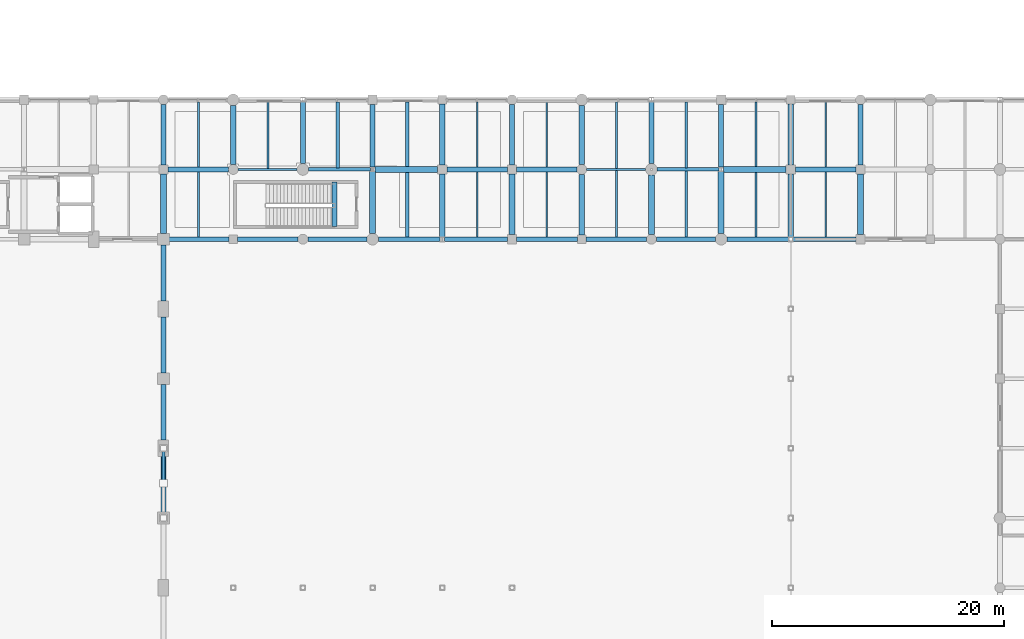
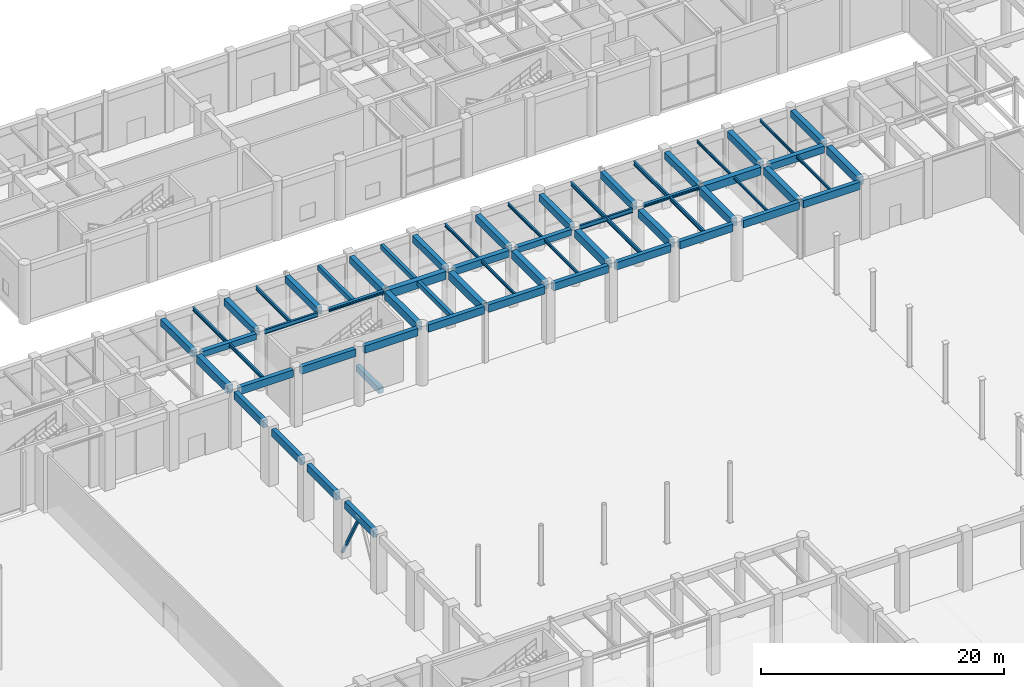
# One storey, part 39 of 106: 63 beams, 1 member.
"""IFC4 building model written with IfcOpenShell, lengths in metres."""

import ifcopenshell
import ifcopenshell.guid

model = None  # the IFC model being written
_history = None  # IfcOwnerHistory: only IFC2X3 demands one
_inside = {}  # id of a spatial element -> (the spatial element, [elements in it])
_under = {}  # id of a project, library or spatial element -> (it, [spatial elements below it])
_declared = {}  # id of a project -> (the project, [libraries it declares])
_typed = {}  # id of a type object -> (the type object, [elements of that type])
_made_of = {}  # id of a material, layer set ... -> (it, [elements and type objects made of it])


def new_model(schema):
    """Start an empty IFC model of exactly this schema.

    Asked for "IFC4X3", IfcOpenShell would pick the latest addendum, in which some entities
    have other attributes; the version numbers below select the first issue.
    IFC2X3 requires an IfcOwnerHistory on every rooted entity: one is made here for all.
    """
    global model, _history
    if schema == "IFC4X3":
        model = ifcopenshell.file(schema_version=(4, 3, 0, 0))
    else:
        model = ifcopenshell.file(schema=schema)
    _inside.clear()
    _under.clear()
    _declared.clear()
    _typed.clear()
    _made_of.clear()
    _history = None
    if model.schema == "IFC2X3":
        org = make("IfcOrganization", Name="unknown")
        user = make(
            "IfcPersonAndOrganization",
            ThePerson=make("IfcPerson", FamilyName="unknown"),
            TheOrganization=org,
        )
        app = make(
            "IfcApplication",
            ApplicationDeveloper=org,
            Version="unknown",
            ApplicationFullName="unknown",
            ApplicationIdentifier="unknown",
        )
        _history = make(
            "IfcOwnerHistory",
            OwningUser=user,
            OwningApplication=app,
            ChangeAction="ADDED",
            CreationDate=0,
        )
    return model


def make(cls, **values):
    """One entity of the class cls with the attributes given. An attribute that is None is left unset."""
    return model.create_entity(
        cls, **{name: value for name, value in values.items() if value is not None}
    )


def rooted(cls, **values):
    """An entity with a GlobalId (a new one), such as an element, a storey or a relation."""
    return make(cls, GlobalId=ifcopenshell.guid.new(), OwnerHistory=_history, **values)


def si_unit(unit_type, name, prefix=None):
    """IfcSIUnit, for example si_unit("LENGTHUNIT", "METRE", prefix="MILLI")."""
    return make("IfcSIUnit", UnitType=unit_type, Prefix=prefix, Name=name)


def assignment(units):
    """IfcUnitAssignment: the units of a project."""
    return None if units is None else make("IfcUnitAssignment", Units=units)


def point(xyz):
    """IfcCartesianPoint."""
    return None if xyz is None else make("IfcCartesianPoint", Coordinates=xyz)


def direction(xyz):
    """IfcDirection."""
    return None if xyz is None else make("IfcDirection", DirectionRatios=xyz)


def frame(location, z_axis=None, x_axis=None):
    """IfcAxis2Placement3D, a coordinate frame: its origin and axes. An axis left out is left unset."""
    return make(
        "IfcAxis2Placement3D",
        Location=point(location),
        Axis=direction(z_axis),
        RefDirection=direction(x_axis),
    )


def frame_2d(location, x_axis=None):
    """IfcAxis2Placement2D, a coordinate frame in the plane: its origin and x axis."""
    return make(
        "IfcAxis2Placement2D", Location=point(location), RefDirection=direction(x_axis)
    )


def origin():
    """The frame at (0, 0, 0) with its axes left unset."""
    return frame((0.0, 0.0, 0.0))


def origin_2d():
    """The frame at (0, 0) in the plane with its x axis left unset."""
    return frame_2d((0.0, 0.0))


def place(relative_to, where):
    """IfcLocalPlacement: puts the frame where relative to a parent placement (None: the world)."""
    return make(
        "IfcLocalPlacement", PlacementRelTo=relative_to, RelativePlacement=where
    )


def context(
    kind, dimensions, precision=None, world=None, true_north=None, identifier=None
):
    """IfcGeometricRepresentationContext, for example the 3D "Model" context."""
    return make(
        "IfcGeometricRepresentationContext",
        ContextIdentifier=identifier,
        ContextType=kind,
        CoordinateSpaceDimension=dimensions,
        Precision=precision,
        WorldCoordinateSystem=world,
        TrueNorth=true_north,
    )


def subcontext(parent, identifier, kind, view, scale=None):
    """IfcGeometricRepresentationSubContext, for example "Body" below "Model"."""
    return make(
        "IfcGeometricRepresentationSubContext",
        ContextIdentifier=identifier,
        ContextType=kind,
        ParentContext=parent,
        TargetScale=scale,
        TargetView=view,
    )


def project(units=None, contexts=None):
    """IfcProject with its units and contexts."""
    return rooted(
        "IfcProject",
        Name="project",
        RepresentationContexts=contexts,
        UnitsInContext=assignment(units),
    )


def spatial(cls, under=None, at=None, **own):
    """A site, building, storey or space (cls), placed at a placement, below another one or the project."""
    s = rooted(cls, ObjectPlacement=at, **own)
    if under is not None:
        _under.setdefault(under.id(), (under, []))[1].append(s)
    return s


def profile(cls, at=None, kind="AREA", **sizes):
    """A parametric profile (cls). Its sizes go by their IFC names, for example OverallWidth=200.0."""
    return make(cls, ProfileType=kind, Position=at, **sizes)


def rectangle(**sizes):
    """IfcRectangleProfileDef."""
    return profile("IfcRectangleProfileDef", **sizes)


def hollow_rectangle(**sizes):
    """IfcRectangleHollowProfileDef."""
    return profile("IfcRectangleHollowProfileDef", **sizes)


def i_section(**sizes):
    """IfcIShapeProfileDef."""
    return profile("IfcIShapeProfileDef", **sizes)


def extrude(swept, where, along, depth):
    """IfcExtrudedAreaSolid: the profile swept, set in the frame where, extruded along a direction by depth."""
    return make(
        "IfcExtrudedAreaSolid",
        SweptArea=swept,
        Position=where,
        ExtrudedDirection=direction(along),
        Depth=depth,
    )


def shape(context_of_items, identifier, shape_type, items):
    """IfcShapeRepresentation: the items that make up one representation, for example the "Body"."""
    return make(
        "IfcShapeRepresentation",
        ContextOfItems=context_of_items,
        RepresentationIdentifier=identifier,
        RepresentationType=shape_type,
        Items=items,
    )


def material(Name=None, Category=None):
    """IfcMaterial."""
    return make("IfcMaterial", Name=Name, Category=Category)


def material_profile(
    of_material, cross_section, Name=None, Category=None, Priority=None
):
    """IfcMaterialProfile: a cross section and its material."""
    return make(
        "IfcMaterialProfile",
        Name=Name,
        Material=of_material,
        Profile=cross_section,
        Priority=Priority,
        Category=Category,
    )


def profile_set(profiles, Name=None, composite=None):
    """IfcMaterialProfileSet."""
    return make(
        "IfcMaterialProfileSet",
        Name=Name,
        MaterialProfiles=profiles,
        CompositeProfile=composite,
    )


def made_of(thing, what):
    """Note that an element or type object is made of a material, layer set ...; save() writes the relation."""
    if what is not None:
        _made_of.setdefault(what.id(), (what, []))[1].append(thing)
    return thing


def type_object(cls, material=None, **own):
    """A type object (cls), such as IfcWallType, which elements share."""
    return made_of(rooted(cls, **own), material)


def element(
    cls,
    number,
    at=None,
    inside=None,
    cuts=None,
    type_object=None,
    material=None,
    context=None,
    identifier="Body",
    shape_type=None,
    held_by="IfcProductDefinitionShape",
    body=None,
    shapes=None,
    **own,
):
    """One element of the class cls, such as IfcWall. Its Tag is "e" and its number.

    at: its placement. inside: the storey or other place that contains it. cuts: it is an
    opening in that element (IfcRelVoidsElement). A single representation is given by context,
    identifier, shape_type and body (its items); several are given by shapes. held_by: the class
    of the entity that holds the representations. save() writes the other relations.
    """
    e = rooted(cls, Tag="e%d" % number, ObjectPlacement=at, **own)
    if body is not None:
        shapes = [shape(context, identifier, shape_type, body)]
    if shapes is not None:
        e.Representation = make(held_by, Representations=shapes)
    if inside is not None:
        _inside.setdefault(inside.id(), (inside, []))[1].append(e)
    if cuts is not None:
        rooted(
            "IfcRelVoidsElement", RelatingBuildingElement=cuts, RelatedOpeningElement=e
        )
    if type_object is not None:
        _typed.setdefault(type_object.id(), (type_object, []))[1].append(e)
    return made_of(e, material)


def aggregate(whole, parts):
    """IfcRelAggregates: a whole, such as a stair, and the parts it consists of."""
    return rooted("IfcRelAggregates", RelatingObject=whole, RelatedObjects=parts)


def save(model, path):
    """Write the relations noted so far, then the file.

    IfcRelAggregates (storeys below a building ...), IfcRelContainedInSpatialStructure (elements
    in a storey), IfcRelDefinesByType, IfcRelAssociatesMaterial and IfcRelDeclares: one each for
    every whole, place, type object, material and project.
    """
    for whole, parts in _under.values():
        aggregate(whole, parts)
    for where, things in _inside.values():
        rooted(
            "IfcRelContainedInSpatialStructure",
            RelatedElements=things,
            RelatingStructure=where,
        )
    for kind, things in _typed.values():
        rooted("IfcRelDefinesByType", RelatedObjects=things, RelatingType=kind)
    for what, things in _made_of.values():
        rooted("IfcRelAssociatesMaterial", RelatedObjects=things, RelatingMaterial=what)
    for by, libraries in _declared.values():
        rooted("IfcRelDeclares", RelatingContext=by, RelatedDefinitions=libraries)
    model.write(path)


model = new_model("IFC4")

# Units and contexts
model_context = context("Model", 3, precision=1e-05, world=origin(), true_north=direction((0.0, 1.0)))
body_context = subcontext(model_context, "Body", "Model", "MODEL_VIEW")
ifc_project = project(units=[si_unit("LENGTHUNIT", "METRE"), si_unit("AREAUNIT", "SQUARE_METRE"), si_unit("VOLUMEUNIT", "CUBIC_METRE"), si_unit("PLANEANGLEUNIT", "RADIAN"), si_unit("MASSUNIT", "GRAM", prefix="KILO"), si_unit("THERMODYNAMICTEMPERATUREUNIT", "KELVIN"), si_unit("POWERUNIT", "WATT")], contexts=[model_context])

# Site, building, storey
site_placement = place(None, origin())
site = spatial("IfcSite", under=ifc_project, at=site_placement, CompositionType="ELEMENT")
building_placement = place(site_placement, origin())
building = spatial("IfcBuilding", under=site, at=building_placement, Name="Phaisarnlok Congress Hotel", CompositionType="ELEMENT")
storey_placement = place(building_placement, origin())
storey = spatial("IfcBuildingStorey", under=building, at=storey_placement, Name="L00", CompositionType="ELEMENT", Elevation=0.0)

# Beams
ifc_material_1 = material(Name="Concrete C40/50", Category="concrete")
ifc_material_profile_1 = material_profile(ifc_material_1, rectangle(XDim=0.39990234375, YDim=0.60009765625, at=origin_2d()), Name="RC 400x600")
ifc_profile_set_1 = profile_set([ifc_material_profile_1], Name="Concrete C40/50")
beam_type_1 = type_object("IfcBeamType", Name="BM-RC-400x600", PredefinedType="BEAM", material=ifc_profile_set_1)
for number, where, z_axis, x_axis, name in (
    (1, (66.3701171875, 90.0, 5.43994140625), (1.0, 0.0, 0.0), (0.0, 1.0, 0.0), "Beam B-02"),
    (2, (96.3701171875, 90.0, 5.43994140625), (1.0, 0.0, 0.0), (0.0, 1.0, 0.0), "Beam B-02"),
):
    element("IfcBeam", number, at=place(storey_placement, frame(where, z_axis=z_axis, x_axis=x_axis)), inside=storey, type_object=beam_type_1, Name=name, PredefinedType="BEAM", context=body_context, shape_type="SweptSolid", body=[
        extrude(rectangle(XDim=0.39990234375, YDim=0.60009765625, at=origin_2d()), origin(), (0.0, 0.0, 1.0), 5.2099609375),
    ])
beam_1_placement = place(storey_placement, frame((80.719970703125, 85.080078125, -0.300048828125), z_axis=(0.0, 1.0, 0.0), x_axis=(-1.0, 0.0, 0.0)))
element("IfcBeam", 3, at=beam_1_placement, inside=storey, type_object=beam_type_1, Name="Stair landing header beam B-02 (STAIR-POD-C L00)", PredefinedType="BEAM", context=body_context, shape_type="SweptSolid", body=[
    extrude(rectangle(XDim=0.39990234375, YDim=0.60009765625, at=origin_2d()), origin(), (0.0, 0.0, 1.0), 3.83984375),
])
ifc_material_profile_2 = material_profile(ifc_material_1, rectangle(XDim=0.449951171875, YDim=0.699951171875, at=origin_2d()), Name="RC 450x700")
ifc_profile_set_2 = profile_set([ifc_material_profile_2], Name="Concrete C40/50")
beam_type_2 = type_object("IfcBeamType", Name="BM-RC-450x700", PredefinedType="BEAM", material=ifc_profile_set_2)
beam_2_placement = place(storey_placement, frame((66.0, 90.3701171875, 5.389892578125), z_axis=(0.0, 1.0, 0.0), x_axis=(-1.0, 0.0, 0.0)))
element("IfcBeam", 4, at=beam_2_placement, inside=storey, type_object=beam_type_2, Name="Beam B-03", PredefinedType="BEAM", context=body_context, shape_type="SweptSolid", body=[
    extrude(rectangle(XDim=0.449951171875, YDim=0.699951171875, at=origin_2d()), origin(), (0.0, 0.0, 1.0), 5.2099609375),
])
beam_3_placement = place(storey_placement, frame((72.0, 90.419921875, 5.389892578125), z_axis=(0.0, 1.0, 0.0), x_axis=(-1.0, 0.0, 0.0)))
element("IfcBeam", 5, at=beam_3_placement, inside=storey, type_object=beam_type_2, Name="Beam B-03", PredefinedType="BEAM", context=body_context, shape_type="SweptSolid", body=[
    extrude(rectangle(XDim=0.449951171875, YDim=0.699951171875, at=origin_2d()), origin(), (0.0, 0.0, 1.0), 5.0849609375),
])
beam_4_placement = place(storey_placement, frame((78.0, 90.4951171875, 5.389892578125), z_axis=(0.0, 1.0, 0.0), x_axis=(-1.0, 0.0, 0.0)))
element("IfcBeam", 6, at=beam_4_placement, inside=storey, type_object=beam_type_2, Name="Beam B-03", PredefinedType="BEAM", context=body_context, shape_type="SweptSolid", body=[
    extrude(rectangle(XDim=0.449951171875, YDim=0.699951171875, at=origin_2d()), origin(), (0.0, 0.0, 1.0), 5.310302734375),
])
beam_5_placement = place(storey_placement, frame((84.0, 90.194580078125, 5.389892578125), z_axis=(0.0, 1.0, 0.0), x_axis=(-1.0, 0.0, 0.0)))
element("IfcBeam", 7, at=beam_5_placement, inside=storey, type_object=beam_type_2, Name="Beam B-03", PredefinedType="BEAM", context=body_context, shape_type="SweptSolid", body=[
    extrude(rectangle(XDim=0.449951171875, YDim=0.699951171875, at=origin_2d()), origin(), (0.0, 0.0, 1.0), 5.410400390625),
])
for number, where, z_axis, x_axis, name in (
    (8, (90.39501953125, 90.0, 5.389892578125), (1.0, 0.0, 0.0), (0.0, 1.0, 0.0), "Beam B-03"),
    (9, (90.0, 90.39501953125, 5.389892578125), (0.0, 1.0, 0.0), (-1.0, 0.0, 0.0), "Beam B-03"),
):
    element("IfcBeam", number, at=place(storey_placement, frame(where, z_axis=z_axis, x_axis=x_axis)), inside=storey, type_object=beam_type_2, Name=name, PredefinedType="BEAM", context=body_context, shape_type="SweptSolid", body=[
        extrude(rectangle(XDim=0.449951171875, YDim=0.699951171875, at=origin_2d()), origin(), (0.0, 0.0, 1.0), 5.23486328125),
    ])
beam_6_placement = place(storey_placement, frame((96.0, 90.3701171875, 5.389892578125), z_axis=(0.0, 1.0, 0.0), x_axis=(-1.0, 0.0, 0.0)))
element("IfcBeam", 10, at=beam_6_placement, inside=storey, type_object=beam_type_2, Name="Beam B-03", PredefinedType="BEAM", context=body_context, shape_type="SweptSolid", body=[
    extrude(rectangle(XDim=0.449951171875, YDim=0.699951171875, at=origin_2d()), origin(), (0.0, 0.0, 1.0), 5.2099609375),
])
beam_7_placement = place(storey_placement, frame((102.0, 90.419921875, 5.389892578125), z_axis=(0.0, 1.0, 0.0), x_axis=(-1.0, 0.0, 0.0)))
element("IfcBeam", 11, at=beam_7_placement, inside=storey, type_object=beam_type_2, Name="Beam B-03", PredefinedType="BEAM", context=body_context, shape_type="SweptSolid", body=[
    extrude(rectangle(XDim=0.449951171875, YDim=0.699951171875, at=origin_2d()), origin(), (0.0, 0.0, 1.0), 5.0849609375),
])
beam_8_placement = place(storey_placement, frame((108.0, 90.4951171875, 5.389892578125), z_axis=(0.0, 1.0, 0.0), x_axis=(-1.0, 0.0, 0.0)))
element("IfcBeam", 12, at=beam_8_placement, inside=storey, type_object=beam_type_2, Name="Beam B-03", PredefinedType="BEAM", context=body_context, shape_type="SweptSolid", body=[
    extrude(rectangle(XDim=0.449951171875, YDim=0.699951171875, at=origin_2d()), origin(), (0.0, 0.0, 1.0), 5.310302734375),
])
beam_9_placement = place(storey_placement, frame((114.0, 90.194580078125, 5.389892578125), z_axis=(0.0, 1.0, 0.0), x_axis=(-1.0, 0.0, 0.0)))
element("IfcBeam", 13, at=beam_9_placement, inside=storey, type_object=beam_type_2, Name="Beam B-03", PredefinedType="BEAM", context=body_context, shape_type="SweptSolid", body=[
    extrude(rectangle(XDim=0.449951171875, YDim=0.699951171875, at=origin_2d()), origin(), (0.0, 0.0, 1.0), 5.410400390625),
])
for number, where, z_axis, x_axis, name in (
    (14, (120.39501953125, 90.0, 5.389892578125), (1.0, 0.0, 0.0), (0.0, 1.0, 0.0), "Beam B-03"),
    (15, (120.0, 90.39501953125, 5.389892578125), (0.0, 1.0, 0.0), (-1.0, 0.0, 0.0), "Beam B-03"),
):
    element("IfcBeam", number, at=place(storey_placement, frame(where, z_axis=z_axis, x_axis=x_axis)), inside=storey, type_object=beam_type_2, Name=name, PredefinedType="BEAM", context=body_context, shape_type="SweptSolid", body=[
        extrude(rectangle(XDim=0.449951171875, YDim=0.699951171875, at=origin_2d()), origin(), (0.0, 0.0, 1.0), 5.23486328125),
    ])
beam_10_placement = place(storey_placement, frame((126.0, 90.3701171875, 5.389892578125), z_axis=(0.0, 1.0, 0.0), x_axis=(-1.0, 0.0, 0.0)))
element("IfcBeam", 16, at=beam_10_placement, inside=storey, type_object=beam_type_2, Name="Beam B-03", PredefinedType="BEAM", context=body_context, shape_type="SweptSolid", body=[
    extrude(rectangle(XDim=0.449951171875, YDim=0.699951171875, at=origin_2d()), origin(), (0.0, 0.0, 1.0), 5.2099609375),
])
ifc_material_profile_3 = material_profile(ifc_material_1, rectangle(XDim=0.5, YDim=0.800048828125, at=origin_2d()), Name="RC 500x800")
ifc_profile_set_3 = profile_set([ifc_material_profile_3], Name="Concrete C40/50")
beam_type_3 = type_object("IfcBeamType", Name="BM-RC-500x800", PredefinedType="BEAM", material=ifc_profile_set_3)
beam_11_placement = place(storey_placement, frame((66.0, 84.4951171875, 5.340087890625), z_axis=(0.0, 1.0, 0.0), x_axis=(-1.0, 0.0, 0.0)))
element("IfcBeam", 17, at=beam_11_placement, inside=storey, type_object=beam_type_3, Name="Beam B-04", PredefinedType="BEAM", context=body_context, shape_type="SweptSolid", body=[
    extrude(rectangle(XDim=0.5, YDim=0.800048828125, at=origin_2d()), origin(), (0.0, 0.0, 1.0), 5.134765625),
])
beam_12_placement = place(storey_placement, frame((84.0, 84.4951171875, 5.340087890625), z_axis=(0.0, 1.0, 0.0), x_axis=(-1.0, 0.0, 0.0)))
element("IfcBeam", 18, at=beam_12_placement, inside=storey, type_object=beam_type_3, Name="Beam B-04", PredefinedType="BEAM", context=body_context, shape_type="SweptSolid", body=[
    extrude(rectangle(XDim=0.5, YDim=0.800048828125, at=origin_2d()), origin(), (0.0, 0.0, 1.0), 5.310302734375),
])
beam_13_placement = place(storey_placement, frame((84.195556640625, 90.0, 5.340087890625), z_axis=(1.0, 0.0, 0.0), x_axis=(0.0, 1.0, 0.0)))
element("IfcBeam", 19, at=beam_13_placement, inside=storey, type_object=beam_type_3, Name="Beam B-04", PredefinedType="BEAM", context=body_context, shape_type="SweptSolid", body=[
    extrude(rectangle(XDim=0.5, YDim=0.800048828125, at=origin_2d()), origin(), (0.0, 0.0, 1.0), 5.409423828125),
])
beam_14_placement = place(storey_placement, frame((90.0, 84.194580078125, 5.340087890625), z_axis=(0.0, 1.0, 0.0), x_axis=(-1.0, 0.0, 0.0)))
element("IfcBeam", 20, at=beam_14_placement, inside=storey, type_object=beam_type_3, Name="Beam B-04", PredefinedType="BEAM", context=body_context, shape_type="SweptSolid", body=[
    extrude(rectangle(XDim=0.5, YDim=0.800048828125, at=origin_2d()), origin(), (0.0, 0.0, 1.0), 5.410400390625),
])
beam_15_placement = place(storey_placement, frame((96.0, 84.39501953125, 5.340087890625), z_axis=(0.0, 1.0, 0.0), x_axis=(-1.0, 0.0, 0.0)))
element("IfcBeam", 21, at=beam_15_placement, inside=storey, type_object=beam_type_3, Name="Beam B-04", PredefinedType="BEAM", context=body_context, shape_type="SweptSolid", body=[
    extrude(rectangle(XDim=0.5, YDim=0.800048828125, at=origin_2d()), origin(), (0.0, 0.0, 1.0), 5.23486328125),
])
beam_16_placement = place(storey_placement, frame((102.0, 84.3701171875, 5.340087890625), z_axis=(0.0, 1.0, 0.0), x_axis=(-1.0, 0.0, 0.0)))
element("IfcBeam", 22, at=beam_16_placement, inside=storey, type_object=beam_type_3, Name="Beam B-04", PredefinedType="BEAM", context=body_context, shape_type="SweptSolid", body=[
    extrude(rectangle(XDim=0.5, YDim=0.800048828125, at=origin_2d()), origin(), (0.0, 0.0, 1.0), 5.2099609375),
])
beam_17_placement = place(storey_placement, frame((108.0, 84.419921875, 5.340087890625), z_axis=(0.0, 1.0, 0.0), x_axis=(-1.0, 0.0, 0.0)))
element("IfcBeam", 23, at=beam_17_placement, inside=storey, type_object=beam_type_3, Name="Beam B-04", PredefinedType="BEAM", context=body_context, shape_type="SweptSolid", body=[
    extrude(rectangle(XDim=0.5, YDim=0.800048828125, at=origin_2d()), origin(), (0.0, 0.0, 1.0), 5.0849609375),
])
beam_18_placement = place(storey_placement, frame((114.0, 84.4951171875, 5.340087890625), z_axis=(0.0, 1.0, 0.0), x_axis=(-1.0, 0.0, 0.0)))
element("IfcBeam", 24, at=beam_18_placement, inside=storey, type_object=beam_type_3, Name="Beam B-04", PredefinedType="BEAM", context=body_context, shape_type="SweptSolid", body=[
    extrude(rectangle(XDim=0.5, YDim=0.800048828125, at=origin_2d()), origin(), (0.0, 0.0, 1.0), 5.310302734375),
])
beam_19_placement = place(storey_placement, frame((114.195556640625, 90.0, 5.340087890625), z_axis=(1.0, 0.0, 0.0), x_axis=(0.0, 1.0, 0.0)))
element("IfcBeam", 25, at=beam_19_placement, inside=storey, type_object=beam_type_3, Name="Beam B-04", PredefinedType="BEAM", context=body_context, shape_type="SweptSolid", body=[
    extrude(rectangle(XDim=0.5, YDim=0.800048828125, at=origin_2d()), origin(), (0.0, 0.0, 1.0), 5.409423828125),
])
beam_20_placement = place(storey_placement, frame((120.0, 84.1982421875, 5.340087890625), z_axis=(0.0, 1.0, 0.0), x_axis=(-1.0, 0.0, 0.0)))
element("IfcBeam", 26, at=beam_20_placement, inside=storey, type_object=beam_type_3, Name="Beam B-04", PredefinedType="BEAM", context=body_context, shape_type="SweptSolid", body=[
    extrude(rectangle(XDim=0.5, YDim=0.800048828125, at=origin_2d()), origin(), (0.0, 0.0, 1.0), 5.40673828125),
])
beam_21_placement = place(storey_placement, frame((126.0, 84.39501953125, 5.340087890625), z_axis=(0.0, 1.0, 0.0), x_axis=(-1.0, 0.0, 0.0)))
element("IfcBeam", 27, at=beam_21_placement, inside=storey, type_object=beam_type_3, Name="Beam B-04", PredefinedType="BEAM", context=body_context, shape_type="SweptSolid", body=[
    extrude(rectangle(XDim=0.5, YDim=0.800048828125, at=origin_2d()), origin(), (0.0, 0.0, 1.0), 5.23486328125),
])
ifc_material_2 = material(Name="Steel S355", Category="steel")
ifc_material_profile_4 = material_profile(ifc_material_2, i_section(OverallWidth=0.300048828125, OverallDepth=0.2900390625, WebThickness=0.008544921875, FlangeThickness=0.013916015625, FilletRadius=0.027099609375, at=origin_2d()), Name="HEA 300")
ifc_profile_set_4 = profile_set([ifc_material_profile_4], Name="Steel S355")
beam_type_4 = type_object("IfcBeamType", Name="BM-STL-HEA300", PredefinedType="BEAM", material=ifc_profile_set_4)
for number, where, z_axis, x_axis, name in (
    (28, (78.4951171875, 90.0, 5.594970703125), (1.0, 0.0, 0.0), (0.0, 1.0, 0.0), "Beam SB-05"),
    (29, (108.4951171875, 90.0, 5.594970703125), (1.0, 0.0, 0.0), (0.0, 1.0, 0.0), "Beam SB-05"),
):
    element("IfcBeam", number, at=place(storey_placement, frame(where, z_axis=z_axis, x_axis=x_axis)), inside=storey, type_object=beam_type_4, Name=name, PredefinedType="BEAM", context=body_context, shape_type="SweptSolid", body=[
        extrude(i_section(OverallWidth=0.300048828125, OverallDepth=0.2900390625, WebThickness=0.008544921875, FlangeThickness=0.013916015625, FilletRadius=0.027099609375, at=origin_2d()), origin(), (0.0, 0.0, 1.0), 5.309326171875),
    ])
ifc_material_profile_5 = material_profile(ifc_material_2, i_section(OverallWidth=0.18994140625, OverallDepth=0.449951171875, WebThickness=0.009521484375, FlangeThickness=0.0146484375, FilletRadius=0.02099609375, at=origin_2d()), Name="IPE 450")
ifc_profile_set_5 = profile_set([ifc_material_profile_5], Name="Steel S355")
beam_type_5 = type_object("IfcBeamType", Name="BM-STL-IPE450", PredefinedType="BEAM", material=ifc_profile_set_5)
for number, where, z_axis, x_axis, name in (
    (30, (72.419921875, 90.0, 5.514892578125), (1.0, 0.0, 0.0), (0.0, 1.0, 0.0), "Beam SB-01"),
    (31, (102.419921875, 90.0, 5.514892578125), (1.0, 0.0, 0.0), (0.0, 1.0, 0.0), "Beam SB-01"),
):
    element("IfcBeam", number, at=place(storey_placement, frame(where, z_axis=z_axis, x_axis=x_axis)), inside=storey, type_object=beam_type_5, Name=name, PredefinedType="BEAM", context=body_context, shape_type="SweptSolid", body=[
        extrude(i_section(OverallWidth=0.18994140625, OverallDepth=0.449951171875, WebThickness=0.009521484375, FlangeThickness=0.0146484375, FilletRadius=0.02099609375, at=origin_2d()), origin(), (0.0, 0.0, 1.0), 5.0849609375),
    ])
ifc_material_profile_6 = material_profile(ifc_material_1, rectangle(XDim=0.300048828125, YDim=0.5, at=origin_2d()), Name="RC 300x500")
ifc_profile_set_6 = profile_set([ifc_material_profile_6], Name="Concrete C40/50")
beam_type_6 = type_object("IfcBeamType", Name="JS-RC-300x500", PredefinedType="JOIST", material=ifc_profile_set_6)
beam_22_placement = place(storey_placement, frame((81.0, 90.14501953125, 5.489990234375), z_axis=(0.0, 1.0, 0.0), x_axis=(-1.0, 0.0, 0.0)))
element("IfcBeam", 32, at=beam_22_placement, inside=storey, type_object=beam_type_6, Name="Secondary floor joist J-01", PredefinedType="JOIST", context=body_context, shape_type="SweptSolid", body=[
    extrude(rectangle(XDim=0.300048828125, YDim=0.5, at=origin_2d()), origin(), (0.0, 0.0, 1.0), 5.659912109375),
])
for number, where, z_axis, x_axis, name in (
    (33, (87.0, 84.195068359375, 5.489990234375), (0.0, 1.0, 0.0), (-1.0, 0.0, 0.0), "Secondary floor joist J-01"),
    (34, (87.0, 90.2451171875, 5.489990234375), (0.0, 1.0, 0.0), (-1.0, 0.0, 0.0), "Secondary floor joist J-01"),
):
    element("IfcBeam", number, at=place(storey_placement, frame(where, z_axis=z_axis, x_axis=x_axis)), inside=storey, type_object=beam_type_6, Name=name, PredefinedType="JOIST", context=body_context, shape_type="SweptSolid", body=[
        extrude(rectangle(XDim=0.300048828125, YDim=0.5, at=origin_2d()), origin(), (0.0, 0.0, 1.0), 5.559814453125),
    ])
ifc_material_profile_7 = material_profile(ifc_material_2, i_section(OverallWidth=0.135009765625, OverallDepth=0.27001953125, WebThickness=0.006591796875, FlangeThickness=0.01025390625, FilletRadius=0.014892578125, at=origin_2d()), Name="IPE 270")
ifc_profile_set_7 = profile_set([ifc_material_profile_7], Name="Steel S355")
beam_type_7 = type_object("IfcBeamType", Name="JS-STL-IPE270", PredefinedType="JOIST", material=ifc_profile_set_7)
for number, where, z_axis, x_axis, name in (
    (35, (117.0, 84.195068359375, 5.60498046875), (0.0, 1.0, 0.0), (-1.0, 0.0, 0.0), "Secondary floor joist J-02"),
    (36, (117.0, 90.2451171875, 5.60498046875), (0.0, 1.0, 0.0), (-1.0, 0.0, 0.0), "Secondary floor joist J-02"),
):
    element("IfcBeam", number, at=place(storey_placement, frame(where, z_axis=z_axis, x_axis=x_axis)), inside=storey, type_object=beam_type_7, Name=name, PredefinedType="JOIST", context=body_context, shape_type="SweptSolid", body=[
        extrude(i_section(OverallWidth=0.135009765625, OverallDepth=0.27001953125, WebThickness=0.006591796875, FlangeThickness=0.01025390625, FilletRadius=0.014892578125, at=origin_2d()), origin(), (0.0, 0.0, 1.0), 5.559814453125),
    ])
for number, where, z_axis, x_axis, name in (
    (37, (123.0, 84.195068359375, 5.60498046875), (0.0, 1.0, 0.0), (-1.0, 0.0, 0.0), "Secondary floor joist J-02"),
    (38, (123.0, 90.219970703125, 5.60498046875), (0.0, 1.0, 0.0), (-1.0, 0.0, 0.0), "Secondary floor joist J-02"),
):
    element("IfcBeam", number, at=place(storey_placement, frame(where, z_axis=z_axis, x_axis=x_axis)), inside=storey, type_object=beam_type_7, Name=name, PredefinedType="JOIST", context=body_context, shape_type="SweptSolid", body=[
        extrude(i_section(OverallWidth=0.135009765625, OverallDepth=0.27001953125, WebThickness=0.006591796875, FlangeThickness=0.01025390625, FilletRadius=0.014892578125, at=origin_2d()), origin(), (0.0, 0.0, 1.0), 5.5849609375),
    ])
ifc_material_profile_8 = material_profile(ifc_material_2, i_section(OverallWidth=0.14990234375, OverallDepth=0.300048828125, WebThickness=0.007080078125, FlangeThickness=0.0107421875, FilletRadius=0.014892578125, at=origin_2d()), Name="IPE 300")
ifc_profile_set_8 = profile_set([ifc_material_profile_8], Name="Steel S355")
beam_type_8 = type_object("IfcBeamType", Name="JS-STL-IPE300", PredefinedType="JOIST", material=ifc_profile_set_8)
for number, where, z_axis, x_axis, name in (
    (39, (93.0, 84.195068359375, 5.590087890625), (0.0, 1.0, 0.0), (-1.0, 0.0, 0.0), "Secondary floor joist J-03"),
    (40, (93.0, 90.219970703125, 5.590087890625), (0.0, 1.0, 0.0), (-1.0, 0.0, 0.0), "Secondary floor joist J-03"),
):
    element("IfcBeam", number, at=place(storey_placement, frame(where, z_axis=z_axis, x_axis=x_axis)), inside=storey, type_object=beam_type_8, Name=name, PredefinedType="JOIST", context=body_context, shape_type="SweptSolid", body=[
        extrude(i_section(OverallWidth=0.14990234375, OverallDepth=0.300048828125, WebThickness=0.007080078125, FlangeThickness=0.0107421875, FilletRadius=0.014892578125, at=origin_2d()), origin(), (0.0, 0.0, 1.0), 5.5849609375),
    ])
for number, where, z_axis, x_axis, name in (
    (41, (99.0, 84.195068359375, 5.590087890625), (0.0, 1.0, 0.0), (-1.0, 0.0, 0.0), "Secondary floor joist J-03"),
    (42, (99.0, 90.195068359375, 5.590087890625), (0.0, 1.0, 0.0), (-1.0, 0.0, 0.0), "Secondary floor joist J-03"),
):
    element("IfcBeam", number, at=place(storey_placement, frame(where, z_axis=z_axis, x_axis=x_axis)), inside=storey, type_object=beam_type_8, Name=name, PredefinedType="JOIST", context=body_context, shape_type="SweptSolid", body=[
        extrude(i_section(OverallWidth=0.14990234375, OverallDepth=0.300048828125, WebThickness=0.007080078125, FlangeThickness=0.0107421875, FilletRadius=0.014892578125, at=origin_2d()), origin(), (0.0, 0.0, 1.0), 5.60986328125),
    ])
ifc_material_profile_9 = material_profile(ifc_material_2, i_section(OverallWidth=0.169921875, OverallDepth=0.360107421875, WebThickness=0.008056640625, FlangeThickness=0.0126953125, FilletRadius=0.01806640625, at=origin_2d()), Name="IPE 360")
ifc_profile_set_9 = profile_set([ifc_material_profile_9], Name="Steel S355")
beam_type_9 = type_object("IfcBeamType", Name="JS-STL-IPE360", PredefinedType="JOIST", material=ifc_profile_set_9)
for number, where, z_axis, x_axis, name in (
    (43, (69.0, 84.195068359375, 5.56005859375), (0.0, 1.0, 0.0), (-1.0, 0.0, 0.0), "Secondary floor joist J-04"),
    (44, (69.0, 90.195068359375, 5.56005859375), (0.0, 1.0, 0.0), (-1.0, 0.0, 0.0), "Secondary floor joist J-04"),
):
    element("IfcBeam", number, at=place(storey_placement, frame(where, z_axis=z_axis, x_axis=x_axis)), inside=storey, type_object=beam_type_9, Name=name, PredefinedType="JOIST", context=body_context, shape_type="SweptSolid", body=[
        extrude(i_section(OverallWidth=0.169921875, OverallDepth=0.360107421875, WebThickness=0.008056640625, FlangeThickness=0.0126953125, FilletRadius=0.01806640625, at=origin_2d()), origin(), (0.0, 0.0, 1.0), 5.60986328125),
    ])
beam_23_placement = place(storey_placement, frame((75.0, 90.090087890625, 5.56005859375), z_axis=(0.0, 1.0, 0.0), x_axis=(-1.0, 0.0, 0.0)))
element("IfcBeam", 45, at=beam_23_placement, inside=storey, type_object=beam_type_9, Name="Secondary floor joist J-04", PredefinedType="JOIST", context=body_context, shape_type="SweptSolid", body=[
    extrude(i_section(OverallWidth=0.169921875, OverallDepth=0.360107421875, WebThickness=0.008056640625, FlangeThickness=0.0126953125, FilletRadius=0.01806640625, at=origin_2d()), origin(), (0.0, 0.0, 1.0), 5.71484375),
])
ifc_material_profile_10 = material_profile(ifc_material_2, i_section(OverallWidth=0.179931640625, OverallDepth=0.39990234375, WebThickness=0.008544921875, FlangeThickness=0.013427734375, FilletRadius=0.02099609375, at=origin_2d()), Name="IPE 400")
ifc_profile_set_10 = profile_set([ifc_material_profile_10], Name="Steel S355")
beam_type_10 = type_object("IfcBeamType", Name="JS-STL-IPE400", PredefinedType="JOIST", material=ifc_profile_set_10)
for number, where, z_axis, x_axis, name in (
    (46, (105.0, 84.195068359375, 5.5400390625), (0.0, 1.0, 0.0), (-1.0, 0.0, 0.0), "Secondary floor joist J-05"),
    (47, (105.0, 90.090087890625, 5.5400390625), (0.0, 1.0, 0.0), (-1.0, 0.0, 0.0), "Secondary floor joist J-05"),
):
    element("IfcBeam", number, at=place(storey_placement, frame(where, z_axis=z_axis, x_axis=x_axis)), inside=storey, type_object=beam_type_10, Name=name, PredefinedType="JOIST", context=body_context, shape_type="SweptSolid", body=[
        extrude(i_section(OverallWidth=0.179931640625, OverallDepth=0.39990234375, WebThickness=0.008544921875, FlangeThickness=0.013427734375, FilletRadius=0.02099609375, at=origin_2d()), origin(), (0.0, 0.0, 1.0), 5.71484375),
    ])
for number, where, z_axis, x_axis, name in (
    (48, (111.0, 84.195068359375, 5.5400390625), (0.0, 1.0, 0.0), (-1.0, 0.0, 0.0), "Secondary floor joist J-05"),
    (49, (111.0, 90.14501953125, 5.5400390625), (0.0, 1.0, 0.0), (-1.0, 0.0, 0.0), "Secondary floor joist J-05"),
):
    element("IfcBeam", number, at=place(storey_placement, frame(where, z_axis=z_axis, x_axis=x_axis)), inside=storey, type_object=beam_type_10, Name=name, PredefinedType="JOIST", context=body_context, shape_type="SweptSolid", body=[
        extrude(i_section(OverallWidth=0.179931640625, OverallDepth=0.39990234375, WebThickness=0.008544921875, FlangeThickness=0.013427734375, FilletRadius=0.02099609375, at=origin_2d()), origin(), (0.0, 0.0, 1.0), 5.659912109375),
    ])

# Member
ifc_material_profile_11 = material_profile(ifc_material_2, hollow_rectangle(XDim=0.219970703125, YDim=0.219970703125, WallThickness=0.012451171875, at=origin_2d()), Name="SHS 220x220x12.5")
ifc_profile_set_11 = profile_set([ifc_material_profile_11], Name="Steel S355")
member_type = type_object("IfcMemberType", Name="MEM-BRC-SHS220", PredefinedType="BRACE", material=ifc_profile_set_11)
member_placement = place(storey_placement, frame((66.0, 66.0, 0.14990234375), z_axis=(0.0, -0.480857843522, 0.876798571123), x_axis=(1.0, 0.0, 0.0)))
element("IfcMember", 50, at=member_placement, inside=storey, type_object=member_type, Name="Lateral braced frame diagonal", PredefinedType="BRACE", context=body_context, shape_type="SweptSolid", body=[
    extrude(hollow_rectangle(XDim=0.219970703125, YDim=0.219970703125, WallThickness=0.012451171875, at=origin_2d()), origin(), (0.0, 0.0, 1.0), 6.23876953125),
])

# Beams
ifc_material_profile_12 = material_profile(ifc_material_1, rectangle(XDim=0.39990234375, YDim=0.75, at=origin_2d()), Name="RC 400x750")
ifc_profile_set_12 = profile_set([ifc_material_profile_12], Name="Concrete C40/50")
beam_type_11 = type_object("IfcBeamType", Name="SP-RC-400x750", PredefinedType="SPANDREL", material=ifc_profile_set_12)
for number, where, z_axis, x_axis, name in (
    (51, (66.0, 60.4951171875, 5.364990234375), (0.0, 1.0, 0.0), (-1.0, 0.0, 0.0), "Beam SP-02"),
    (52, (66.0, 66.695068359375, 5.364990234375), (0.0, 1.0, 0.0), (-1.0, 0.0, 0.0), "Beam SP-02"),
    (53, (66.0, 72.4951171875, 5.364990234375), (0.0, 1.0, 0.0), (-1.0, 0.0, 0.0), "Beam SP-02"),
    (54, (66.0, 78.695068359375, 5.364990234375), (0.0, 1.0, 0.0), (-1.0, 0.0, 0.0), "Beam SP-02"),
):
    element("IfcBeam", number, at=place(storey_placement, frame(where, z_axis=z_axis, x_axis=x_axis)), inside=storey, type_object=beam_type_11, Name=name, PredefinedType="SPANDREL", context=body_context, shape_type="SweptSolid", body=[
        extrude(rectangle(XDim=0.39990234375, YDim=0.75, at=origin_2d()), origin(), (0.0, 0.0, 1.0), 4.809814453125),
    ])
beam_24_placement = place(storey_placement, frame((66.4951171875, 84.0, 5.364990234375), z_axis=(1.0, 0.0, 0.0), x_axis=(0.0, 1.0, 0.0)))
element("IfcBeam", 55, at=beam_24_placement, inside=storey, type_object=beam_type_11, Name="Beam SP-02", PredefinedType="SPANDREL", context=body_context, shape_type="SweptSolid", body=[
    extrude(rectangle(XDim=0.39990234375, YDim=0.75, at=origin_2d()), origin(), (0.0, 0.0, 1.0), 5.134765625),
])
beam_25_placement = place(storey_placement, frame((72.3701171875, 84.0, 5.364990234375), z_axis=(1.0, 0.0, 0.0), x_axis=(0.0, 1.0, 0.0)))
element("IfcBeam", 56, at=beam_25_placement, inside=storey, type_object=beam_type_11, Name="Beam SP-02", PredefinedType="SPANDREL", context=body_context, shape_type="SweptSolid", body=[
    extrude(rectangle(XDim=0.39990234375, YDim=0.75, at=origin_2d()), origin(), (0.0, 0.0, 1.0), 5.2099609375),
])
beam_26_placement = place(storey_placement, frame((78.419921875, 84.0, 5.364990234375), z_axis=(1.0, 0.0, 0.0), x_axis=(0.0, 1.0, 0.0)))
element("IfcBeam", 57, at=beam_26_placement, inside=storey, type_object=beam_type_11, Name="Beam SP-02", PredefinedType="SPANDREL", context=body_context, shape_type="SweptSolid", body=[
    extrude(rectangle(XDim=0.39990234375, YDim=0.75, at=origin_2d()), origin(), (0.0, 0.0, 1.0), 5.0849609375),
])
beam_27_placement = place(storey_placement, frame((84.4951171875, 84.0, 5.364990234375), z_axis=(1.0, 0.0, 0.0), x_axis=(0.0, 1.0, 0.0)))
element("IfcBeam", 58, at=beam_27_placement, inside=storey, type_object=beam_type_11, Name="Beam SP-02", PredefinedType="SPANDREL", context=body_context, shape_type="SweptSolid", body=[
    extrude(rectangle(XDim=0.39990234375, YDim=0.75, at=origin_2d()), origin(), (0.0, 0.0, 1.0), 5.309326171875),
])
beam_28_placement = place(storey_placement, frame((90.195556640625, 84.0, 5.364990234375), z_axis=(1.0, 0.0, 0.0), x_axis=(0.0, 1.0, 0.0)))
element("IfcBeam", 59, at=beam_28_placement, inside=storey, type_object=beam_type_11, Name="Beam SP-02", PredefinedType="SPANDREL", context=body_context, shape_type="SweptSolid", body=[
    extrude(rectangle(XDim=0.39990234375, YDim=0.75, at=origin_2d()), origin(), (0.0, 0.0, 1.0), 5.409423828125),
])
beam_29_placement = place(storey_placement, frame((96.39501953125, 84.0, 5.364990234375), z_axis=(1.0, 0.0, 0.0), x_axis=(0.0, 1.0, 0.0)))
element("IfcBeam", 60, at=beam_29_placement, inside=storey, type_object=beam_type_11, Name="Beam SP-02", PredefinedType="SPANDREL", context=body_context, shape_type="SweptSolid", body=[
    extrude(rectangle(XDim=0.39990234375, YDim=0.75, at=origin_2d()), origin(), (0.0, 0.0, 1.0), 5.23486328125),
])
beam_30_placement = place(storey_placement, frame((102.3701171875, 84.0, 5.364990234375), z_axis=(1.0, 0.0, 0.0), x_axis=(0.0, 1.0, 0.0)))
element("IfcBeam", 61, at=beam_30_placement, inside=storey, type_object=beam_type_11, Name="Beam SP-02", PredefinedType="SPANDREL", context=body_context, shape_type="SweptSolid", body=[
    extrude(rectangle(XDim=0.39990234375, YDim=0.75, at=origin_2d()), origin(), (0.0, 0.0, 1.0), 5.2099609375),
])
beam_31_placement = place(storey_placement, frame((108.419921875, 84.0, 5.364990234375), z_axis=(1.0, 0.0, 0.0), x_axis=(0.0, 1.0, 0.0)))
element("IfcBeam", 62, at=beam_31_placement, inside=storey, type_object=beam_type_11, Name="Beam SP-02", PredefinedType="SPANDREL", context=body_context, shape_type="SweptSolid", body=[
    extrude(rectangle(XDim=0.39990234375, YDim=0.75, at=origin_2d()), origin(), (0.0, 0.0, 1.0), 5.0849609375),
])
beam_32_placement = place(storey_placement, frame((114.4951171875, 84.0, 5.364990234375), z_axis=(1.0, 0.0, 0.0), x_axis=(0.0, 1.0, 0.0)))
element("IfcBeam", 63, at=beam_32_placement, inside=storey, type_object=beam_type_11, Name="Beam SP-02", PredefinedType="SPANDREL", context=body_context, shape_type="SweptSolid", body=[
    extrude(rectangle(XDim=0.39990234375, YDim=0.75, at=origin_2d()), origin(), (0.0, 0.0, 1.0), 5.306640625),
])
beam_33_placement = place(storey_placement, frame((120.1982421875, 84.0, 5.364990234375), z_axis=(1.0, 0.0, 0.0), x_axis=(0.0, 1.0, 0.0)))
element("IfcBeam", 64, at=beam_33_placement, inside=storey, type_object=beam_type_11, Name="Beam SP-02", PredefinedType="SPANDREL", context=body_context, shape_type="SweptSolid", body=[
    extrude(rectangle(XDim=0.39990234375, YDim=0.75, at=origin_2d()), origin(), (0.0, 0.0, 1.0), 5.40673828125),
])

save(model, "model.ifc")
